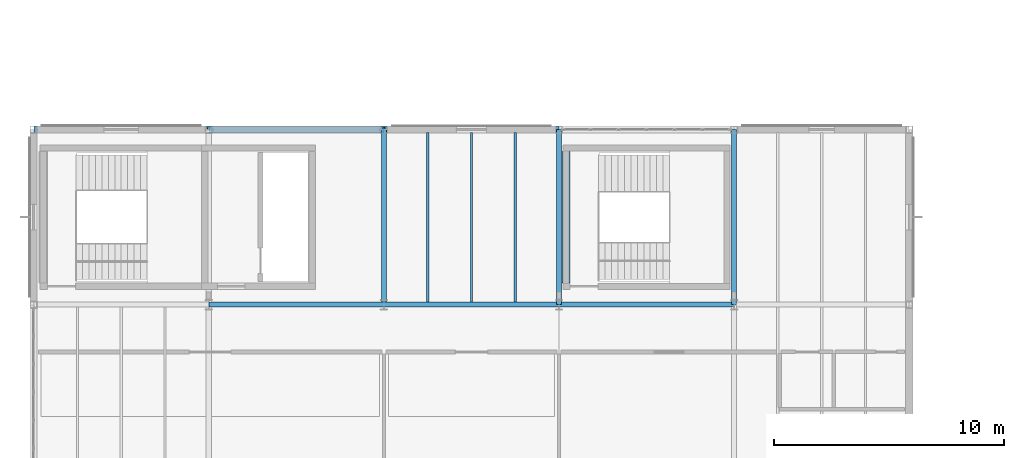
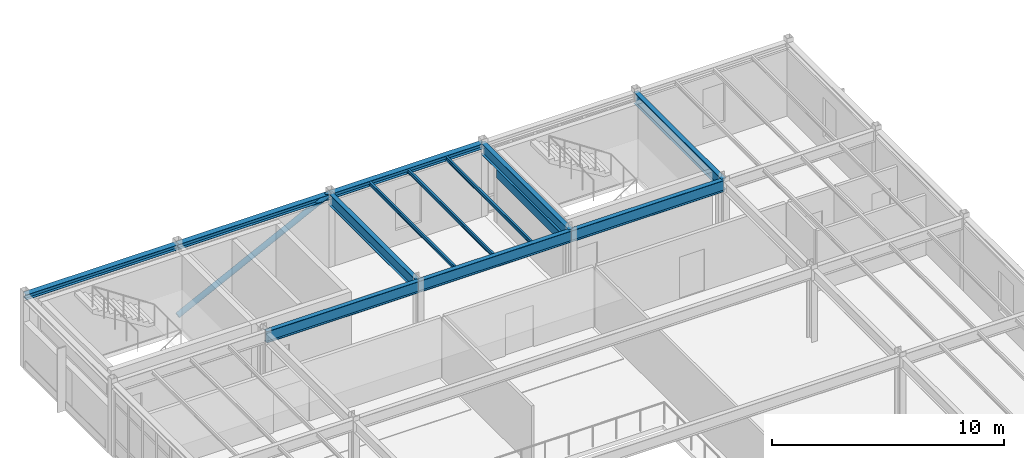
# One storey, part 76 of 165: 13 beams, 1 member.
"""IFC4 building model written with IfcOpenShell, lengths in metres."""

from ifc_helpers import new_model, si_unit, direction, frame, origin, origin_2d, place, context, subcontext, project, spatial, rectangle, hollow_circle, i_section, extrude, material, material_profile, profile_set, type_object, element, save


model = new_model("IFC4")

# Units and contexts
model_context = context("Model", 3, precision=1e-05, world=origin(), true_north=direction((0.0, 1.0)))
body_context = subcontext(model_context, "Body", "Model", "MODEL_VIEW")
ifc_project = project(units=[si_unit("LENGTHUNIT", "METRE"), si_unit("AREAUNIT", "SQUARE_METRE"), si_unit("VOLUMEUNIT", "CUBIC_METRE"), si_unit("PLANEANGLEUNIT", "RADIAN"), si_unit("MASSUNIT", "GRAM", prefix="KILO")], contexts=[model_context])

# Site, building, storey
site_placement = place(None, origin())
site = spatial("IfcSite", under=ifc_project, at=site_placement, CompositionType="ELEMENT")
building_placement = place(site_placement, origin())
building = spatial("IfcBuilding", under=site, at=building_placement, Name="Montecoro Central Library", CompositionType="ELEMENT")
storey_placement = place(building_placement, frame((0.0, 0.0, 5.10009765625)))
storey = spatial("IfcBuildingStorey", under=building, at=storey_placement, Name="L01", CompositionType="ELEMENT", Elevation=5.10009765625)

# Beams
ifc_material_1 = material(Name="Steel S355J2", Category="steel")
ifc_material_profile_1 = material_profile(ifc_material_1, i_section(OverallWidth=0.219970703125, OverallDepth=0.60009765625, WebThickness=0.011962890625, FlangeThickness=0.01904296875, at=origin_2d()), Name="IPE 600")
ifc_profile_set_1 = profile_set([ifc_material_profile_1], Name="Steel S355J2")
beam_type_1 = type_object("IfcBeamType", Name="BM-G-IPE600", PredefinedType="USERDEFINED", material=ifc_profile_set_1)
beam_1_placement = place(storey_placement, frame((12.60498046875, 103.800048828125, 3.52490234375), z_axis=(1.0, 0.0, 0.0), x_axis=(0.0, 1.0, 0.0)))
element("IfcBeam", 1, at=beam_1_placement, inside=storey, type_object=beam_type_1, Name="V4-L01-BX-23-P", ObjectType="GIRDER", PredefinedType="USERDEFINED", context=body_context, shape_type="SweptSolid", body=[
    extrude(i_section(OverallWidth=0.219970703125, OverallDepth=0.60009765625, WebThickness=0.011962890625, FlangeThickness=0.01904296875, at=origin_2d()), origin(), (0.0, 0.0, 1.0), 7.590087890625),
])
beam_2_placement = place(storey_placement, frame((20.205078125, 103.800048828125, 3.52490234375), z_axis=(1.0, 0.0, 0.0), x_axis=(0.0, 1.0, 0.0)))
element("IfcBeam", 2, at=beam_2_placement, inside=storey, type_object=beam_type_1, Name="V4-L01-BX-34-P", ObjectType="GIRDER", PredefinedType="USERDEFINED", context=body_context, shape_type="SweptSolid", body=[
    extrude(i_section(OverallWidth=0.219970703125, OverallDepth=0.60009765625, WebThickness=0.011962890625, FlangeThickness=0.01904296875, at=origin_2d()), origin(), (0.0, 0.0, 1.0), 7.58984375),
])
for number, where, z_axis, x_axis, name in (
    (3, (27.804931640625, 103.800048828125, 3.52490234375), (1.0, 0.0, 0.0), (0.0, 1.0, 0.0), "V4-L01-BX-45-P"),
    (4, (20.199951171875, 103.804931640625, 3.52490234375), (0.0, 1.0, 0.0), (-1.0, 0.0, 0.0), "V4-L01-BY-3-PQ"),
    (5, (27.800048828125, 103.804931640625, 3.52490234375), (0.0, 1.0, 0.0), (-1.0, 0.0, 0.0), "V4-L01-BY-4-PQ"),
    (6, (35.39990234375, 103.804931640625, 3.52490234375), (0.0, 1.0, 0.0), (-1.0, 0.0, 0.0), "V4-L01-BY-5-PQ"),
):
    element("IfcBeam", number, at=place(storey_placement, frame(where, z_axis=z_axis, x_axis=x_axis)), inside=storey, type_object=beam_type_1, Name=name, ObjectType="GIRDER", PredefinedType="USERDEFINED", context=body_context, shape_type="SweptSolid", body=[
        extrude(i_section(OverallWidth=0.219970703125, OverallDepth=0.60009765625, WebThickness=0.011962890625, FlangeThickness=0.01904296875, at=origin_2d()), origin(), (0.0, 0.0, 1.0), 7.590087890625),
    ])
ifc_material_2 = material(Name="Steel S355", Category="steel")
ifc_material_profile_2 = material_profile(ifc_material_2, i_section(OverallWidth=0.10009765625, OverallDepth=0.199951171875, WebThickness=0.005615234375, FlangeThickness=0.008544921875, at=origin_2d()), Name="IPE 200")
ifc_profile_set_2 = profile_set([ifc_material_profile_2], Name="Steel S355")
beam_type_2 = type_object("IfcBeamType", Name="BM-J-IPE200", PredefinedType="JOIST", material=ifc_profile_set_2)
for number, where, z_axis, x_axis, name in (
    (7, (22.10009765625, 103.906982421875, 3.724853515625), (0.0, 1.0, 0.0), (-1.0, 0.0, 0.0), "V4-L01-JS-34-PQ-1"),
    (8, (24.0, 103.906982421875, 3.724853515625), (0.0, 1.0, 0.0), (-1.0, 0.0, 0.0), "V4-L01-JS-34-PQ-2"),
    (9, (25.89990234375, 103.906982421875, 3.724853515625), (0.0, 1.0, 0.0), (-1.0, 0.0, 0.0), "V4-L01-JS-34-PQ-3"),
):
    element("IfcBeam", number, at=place(storey_placement, frame(where, z_axis=z_axis, x_axis=x_axis)), inside=storey, type_object=beam_type_2, Name=name, PredefinedType="JOIST", context=body_context, shape_type="SweptSolid", body=[
        extrude(i_section(OverallWidth=0.10009765625, OverallDepth=0.199951171875, WebThickness=0.005615234375, FlangeThickness=0.008544921875, at=origin_2d()), origin(), (0.0, 0.0, 1.0), 7.35595703125),
    ])
ifc_material_3 = material(Name="Concrete C35/45", Category="concrete")
ifc_material_profile_3 = material_profile(ifc_material_3, rectangle(XDim=0.35009765625, YDim=0.550048828125, at=origin_2d()), Name="RC LNT 550x350")
ifc_profile_set_3 = profile_set([ifc_material_profile_3], Name="Concrete C35/45")
beam_type_3 = type_object("IfcBeamType", Name="BM-LN-RC04", PredefinedType="LINTEL", material=ifc_profile_set_3)
beam_3_placement = place(storey_placement, frame((28.10009765625, 104.75, 2.724853515625), z_axis=(0.0, 1.0, 0.0), x_axis=(-1.0, 0.0, 0.0)))
element("IfcBeam", 10, at=beam_3_placement, inside=storey, type_object=beam_type_3, Name="C9-L01-LNT", PredefinedType="LINTEL", context=body_context, shape_type="SweptSolid", body=[
    extrude(rectangle(XDim=0.35009765625, YDim=0.550048828125, at=origin_2d()), origin(), (0.0, 0.0, 1.0), 5.699951171875),
])
ifc_material_profile_4 = material_profile(ifc_material_2, i_section(OverallWidth=0.280029296875, OverallDepth=0.27001953125, WebThickness=0.008056640625, FlangeThickness=0.012939453125, at=origin_2d()), Name="HEA 280")
ifc_profile_set_4 = profile_set([ifc_material_profile_4], Name="Steel S355")
beam_type_4 = type_object("IfcBeamType", Name="BM-SP-HEA280", PredefinedType="SPANDREL", material=ifc_profile_set_4)
for number, where, z_axis, x_axis, name in (
    (11, (5.0048828125, 111.39990234375, 3.68994140625), (1.0, 0.0, 0.0), (0.0, 1.0, 0.0), "V4-L01-BX-12-Q"),
    (12, (12.60498046875, 111.39990234375, 3.68994140625), (1.0, 0.0, 0.0), (0.0, 1.0, 0.0), "V4-L01-BX-23-Q"),
):
    element("IfcBeam", number, at=place(storey_placement, frame(where, z_axis=z_axis, x_axis=x_axis)), inside=storey, type_object=beam_type_4, Name=name, PredefinedType="SPANDREL", context=body_context, shape_type="SweptSolid", body=[
        extrude(i_section(OverallWidth=0.280029296875, OverallDepth=0.27001953125, WebThickness=0.008056640625, FlangeThickness=0.012939453125, at=origin_2d()), origin(), (0.0, 0.0, 1.0), 7.590087890625),
    ])
beam_4_placement = place(storey_placement, frame((20.205078125, 111.39990234375, 3.68994140625), z_axis=(1.0, 0.0, 0.0), x_axis=(0.0, 1.0, 0.0)))
element("IfcBeam", 13, at=beam_4_placement, inside=storey, type_object=beam_type_4, Name="V4-L01-BX-34-Q", PredefinedType="SPANDREL", context=body_context, shape_type="SweptSolid", body=[
    extrude(i_section(OverallWidth=0.280029296875, OverallDepth=0.27001953125, WebThickness=0.008056640625, FlangeThickness=0.012939453125, at=origin_2d()), origin(), (0.0, 0.0, 1.0), 7.58984375),
])

# Member
ifc_material_profile_5 = material_profile(ifc_material_2, hollow_circle(Radius=0.136474609375, WallThickness=0.012451171875, at=origin_2d()), Name="CHS 273.0x12.5")
ifc_profile_set_5 = profile_set([ifc_material_profile_5], Name="Steel S355")
member_type = type_object("IfcMemberType", Name="MB-BR-CHS273", PredefinedType="BRACE", material=ifc_profile_set_5)
member_placement = place(storey_placement, frame((12.60009765625, 111.39990234375, 0.010009765625), z_axis=(0.894662738831, 0.0, 0.446742189353), x_axis=(0.0, 1.0, 0.0)))
element("IfcMember", 14, at=member_placement, inside=storey, type_object=member_type, Name="V4-L01-BRN1", PredefinedType="BRACE", context=body_context, shape_type="SweptSolid", body=[
    extrude(hollow_circle(Radius=0.136474609375, WallThickness=0.012451171875, at=origin_2d()), origin(), (0.0, 0.0, 1.0), 8.49462890625),
])

save(model, "model.ifc")
